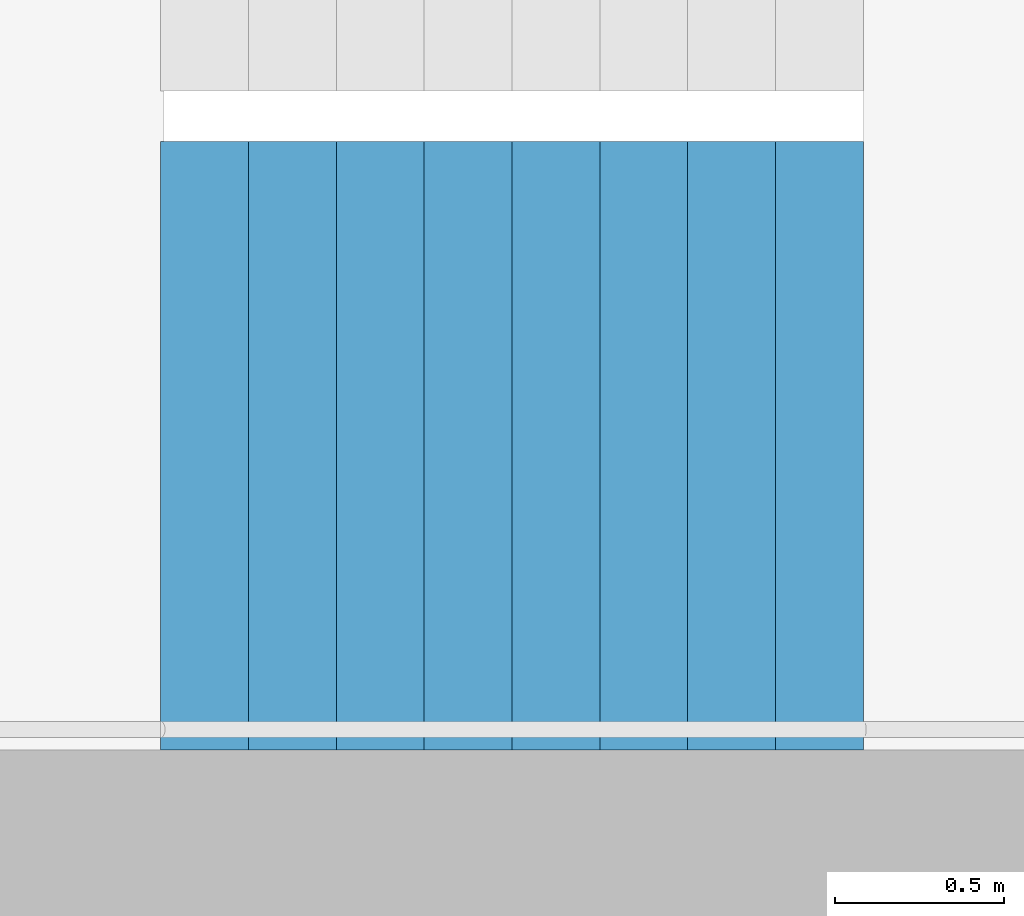
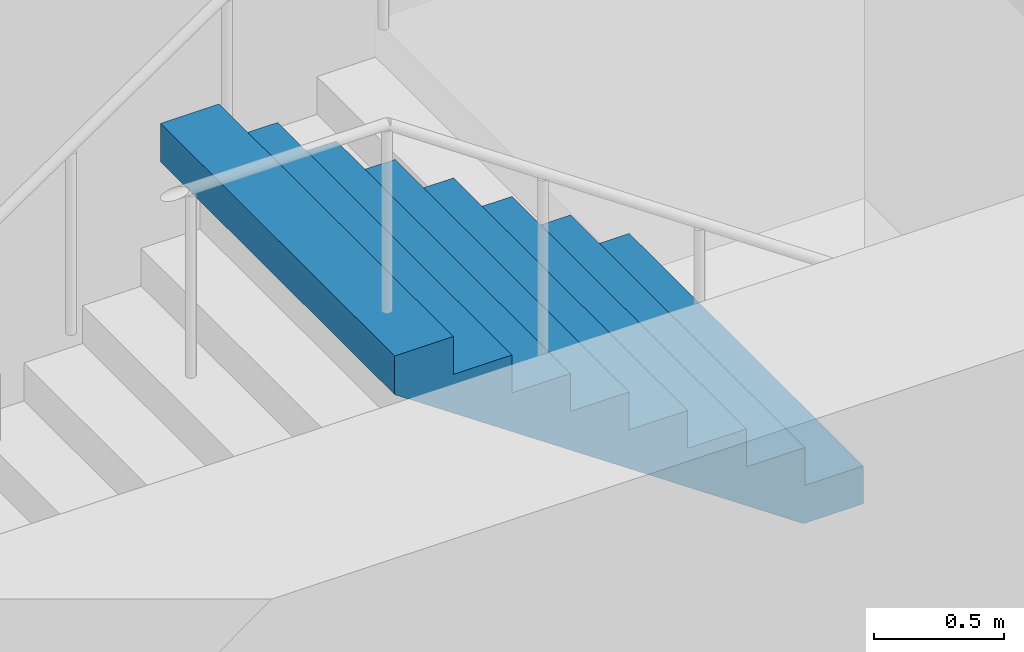
# One storey, part 25 of 29: 1 stair flight, 1 element without a shape of its own.
"""IFC4 building model written with IfcOpenShell, lengths in metres."""

from ifc_helpers import new_model, si_unit, direction, frame, origin, place, context, subcontext, project, spatial, triangles, material, type_object, element, aggregate, save


model = new_model("IFC4")

# Units and contexts
model_context = context("Model", 3, precision=1e-05, world=origin(), true_north=direction((0.0, 1.0)))
body_context = subcontext(model_context, "Body", "Model", "MODEL_VIEW")
ifc_project = project(units=[si_unit("LENGTHUNIT", "METRE"), si_unit("AREAUNIT", "SQUARE_METRE"), si_unit("VOLUMEUNIT", "CUBIC_METRE"), si_unit("PLANEANGLEUNIT", "RADIAN"), si_unit("MASSUNIT", "GRAM", prefix="KILO")], contexts=[model_context])

# Site, building, storey
site_placement = place(None, origin())
site = spatial("IfcSite", under=ifc_project, at=site_placement, CompositionType="ELEMENT")
building_placement = place(site_placement, origin())
building = spatial("IfcBuilding", under=site, at=building_placement, Name="Hakoniwa Tower and Hamabe Station Hall", CompositionType="ELEMENT")
storey_placement = place(building_placement, frame((0.0, 0.0, 101.0)))
storey = spatial("IfcBuildingStorey", under=building, at=storey_placement, Name="L28", CompositionType="ELEMENT", Elevation=101.0)

# Stair, stair flight
ifc_material_1 = material(Name="Concrete C40", Category="concrete")
stair_type = type_object("IfcStairType", Name="ESCAPE STAIR 1800", PredefinedType="HALF_TURN_STAIR", material=ifc_material_1)
stair_placement = place(storey_placement, origin())
stair = element("IfcStair", 1, at=stair_placement, inside=storey, type_object=stair_type, Name="Escape stair ST-4 L28", PredefinedType="HALF_TURN_STAIR")
ifc_material_2 = material(Name="Concrete C40", Category="concrete")
stair_flight_type = type_object("IfcStairFlightType", Name="STAIR FLIGHT 1800", PredefinedType="STRAIGHT", material=ifc_material_2)
stair_flight_placement = place(storey_placement, frame((25.47998046875, -6.60009765625, 1.60009765625), z_axis=(0.0, 0.0, 1.0), x_axis=(-1.0, 0.0, 0.0)))
stair_flight = element("IfcStairFlight", 2, at=stair_flight_placement, type_object=stair_flight_type, Name="ST-4 flight 2", NumberOfRisers=9, NumberOfTreads=8, PredefinedType="STRAIGHT", RiserHeight=0.177777778, TreadLength=0.26, context=body_context, shape_type="Tessellation", body=[
    triangles([(0.0, 0.89990234375, 0.0), (0.260009765625, 0.89990234375, 0.0), (0.265625, 0.89990234375, 0.0), (0.52001953125, 0.89990234375, 0.174072265625), (0.780029296875, 0.89990234375, 0.351806640625), (1.0400390625, 0.89990234375, 0.529541015625), (1.300048828125, 0.89990234375, 0.707275390625), (1.56005859375, 0.89990234375, 0.885009765625), (1.820068359375, 0.89990234375, 1.062744140625), (2.080078125, 0.89990234375, 1.24072265625), (2.080078125, 0.89990234375, 1.422119140625), (1.820068359375, 0.89990234375, 1.422119140625), (1.820068359375, 0.89990234375, 1.244384765625), (1.56005859375, 0.89990234375, 1.244384765625), (1.56005859375, 0.89990234375, 1.066650390625), (1.300048828125, 0.89990234375, 1.066650390625), (1.300048828125, 0.89990234375, 0.888916015625), (1.0400390625, 0.89990234375, 0.888916015625), (1.0400390625, 0.89990234375, 0.711181640625), (0.780029296875, 0.89990234375, 0.711181640625), (0.780029296875, 0.89990234375, 0.533447265625), (0.52001953125, 0.89990234375, 0.533447265625), (0.52001953125, 0.89990234375, 0.35546875), (0.265625, 0.89990234375, 0.35546875), (0.260009765625, 0.89990234375, 0.35546875), (0.260009765625, 0.89990234375, 0.177734375), (0.0, 0.89990234375, 0.177734375), (0.0, 0.06005859375, 0.0), (0.260009765625, 0.06005859375, 0.0), (0.265625, 0.06005859375, 0.0), (0.52001953125, 0.06005859375, 0.174072265625), (0.780029296875, 0.06005859375, 0.351806640625), (1.0400390625, 0.06005859375, 0.529541015625), (1.300048828125, 0.06005859375, 0.707275390625), (1.56005859375, 0.06005859375, 0.885009765625), (1.820068359375, 0.06005859375, 1.062744140625), (2.080078125, 0.06005859375, 1.24072265625), (2.080078125, 0.06005859375, 1.422119140625), (1.820068359375, 0.06005859375, 1.422119140625), (1.820068359375, 0.06005859375, 1.244384765625), (1.56005859375, 0.06005859375, 1.244384765625), (1.56005859375, 0.06005859375, 1.066650390625), (1.300048828125, 0.06005859375, 1.066650390625), (1.300048828125, 0.06005859375, 0.888916015625), (1.0400390625, 0.06005859375, 0.888916015625), (1.0400390625, 0.06005859375, 0.711181640625), (0.780029296875, 0.06005859375, 0.711181640625), (0.780029296875, 0.06005859375, 0.533447265625), (0.52001953125, 0.06005859375, 0.533447265625), (0.52001953125, 0.06005859375, 0.35546875), (0.265625, 0.06005859375, 0.35546875), (0.260009765625, 0.06005859375, 0.35546875), (0.260009765625, 0.06005859375, 0.177734375), (0.0, 0.06005859375, 0.177734375), (0.0, 0.04296875, 0.0), (0.260009765625, 0.04296875, 0.0), (0.265625, 0.04296875, 0.0), (0.52001953125, 0.04296875, 0.174072265625), (0.780029296875, 0.04296875, 0.351806640625), (1.0400390625, 0.04296875, 0.529541015625), (1.300048828125, 0.04296875, 0.707275390625), (1.56005859375, 0.04296875, 0.885009765625), (1.820068359375, 0.04296875, 1.062744140625), (2.080078125, 0.04296875, 1.24072265625), (2.080078125, 0.04296875, 1.422119140625), (1.820068359375, 0.04296875, 1.422119140625), (1.820068359375, 0.04296875, 1.244384765625), (1.56005859375, 0.04296875, 1.244384765625), (1.56005859375, 0.04296875, 1.066650390625), (1.300048828125, 0.04296875, 1.066650390625), (1.300048828125, 0.04296875, 0.888916015625), (1.0400390625, 0.04296875, 0.888916015625), (1.0400390625, 0.04296875, 0.711181640625), (0.780029296875, 0.04296875, 0.711181640625), (0.780029296875, 0.04296875, 0.533447265625), (0.52001953125, 0.04296875, 0.533447265625), (0.52001953125, 0.04296875, 0.35546875), (0.265625, 0.04296875, 0.35546875), (0.260009765625, 0.04296875, 0.35546875), (0.260009765625, 0.04296875, 0.177734375), (0.0, 0.04296875, 0.177734375), (0.0, 0.025634765625, 0.0), (0.260009765625, 0.025634765625, 0.0), (0.265625, 0.025634765625, 0.0), (0.52001953125, 0.025634765625, 0.174072265625), (0.780029296875, 0.025634765625, 0.351806640625), (1.0400390625, 0.025634765625, 0.529541015625), (1.300048828125, 0.025634765625, 0.707275390625), (1.56005859375, 0.025634765625, 0.885009765625), (1.820068359375, 0.025634765625, 1.062744140625), (2.080078125, 0.025634765625, 1.24072265625), (2.080078125, 0.025634765625, 1.422119140625), (1.820068359375, 0.025634765625, 1.422119140625), (1.820068359375, 0.025634765625, 1.244384765625), (1.56005859375, 0.025634765625, 1.244384765625), (1.56005859375, 0.025634765625, 1.066650390625), (1.300048828125, 0.025634765625, 1.066650390625), (1.300048828125, 0.025634765625, 0.888916015625), (1.0400390625, 0.025634765625, 0.888916015625), (1.0400390625, 0.025634765625, 0.711181640625), (0.780029296875, 0.025634765625, 0.711181640625), (0.780029296875, 0.025634765625, 0.533447265625), (0.52001953125, 0.025634765625, 0.533447265625), (0.52001953125, 0.025634765625, 0.35546875), (0.265625, 0.025634765625, 0.35546875), (0.260009765625, 0.025634765625, 0.35546875), (0.260009765625, 0.025634765625, 0.177734375), (0.0, 0.025634765625, 0.177734375), (0.0, 0.008544921875, 0.0), (0.260009765625, 0.008544921875, 0.0), (0.265625, 0.008544921875, 0.0), (0.52001953125, 0.008544921875, 0.174072265625), (0.780029296875, 0.008544921875, 0.351806640625), (1.0400390625, 0.008544921875, 0.529541015625), (1.300048828125, 0.008544921875, 0.707275390625), (1.56005859375, 0.008544921875, 0.885009765625), (1.820068359375, 0.008544921875, 1.062744140625), (2.080078125, 0.008544921875, 1.24072265625), (2.080078125, 0.008544921875, 1.422119140625), (1.820068359375, 0.008544921875, 1.422119140625), (1.820068359375, 0.008544921875, 1.244384765625), (1.56005859375, 0.008544921875, 1.244384765625), (1.56005859375, 0.008544921875, 1.066650390625), (1.300048828125, 0.008544921875, 1.066650390625), (1.300048828125, 0.008544921875, 0.888916015625), (1.0400390625, 0.008544921875, 0.888916015625), (1.0400390625, 0.008544921875, 0.711181640625), (0.780029296875, 0.008544921875, 0.711181640625), (0.780029296875, 0.008544921875, 0.533447265625), (0.52001953125, 0.008544921875, 0.533447265625), (0.52001953125, 0.008544921875, 0.35546875), (0.265625, 0.008544921875, 0.35546875), (0.260009765625, 0.008544921875, 0.35546875), (0.260009765625, 0.008544921875, 0.177734375), (0.0, 0.008544921875, 0.177734375), (0.0, -0.008544921875, 0.0), (0.260009765625, -0.008544921875, 0.0), (0.265625, -0.008544921875, 0.0), (0.52001953125, -0.008544921875, 0.174072265625), (0.780029296875, -0.008544921875, 0.351806640625), (1.0400390625, -0.008544921875, 0.529541015625), (1.300048828125, -0.008544921875, 0.707275390625), (1.56005859375, -0.008544921875, 0.885009765625), (1.820068359375, -0.008544921875, 1.062744140625), (2.080078125, -0.008544921875, 1.24072265625), (2.080078125, -0.008544921875, 1.422119140625), (1.820068359375, -0.008544921875, 1.422119140625), (1.820068359375, -0.008544921875, 1.244384765625), (1.56005859375, -0.008544921875, 1.244384765625), (1.56005859375, -0.008544921875, 1.066650390625), (1.300048828125, -0.008544921875, 1.066650390625), (1.300048828125, -0.008544921875, 0.888916015625), (1.0400390625, -0.008544921875, 0.888916015625), (1.0400390625, -0.008544921875, 0.711181640625), (0.780029296875, -0.008544921875, 0.711181640625), (0.780029296875, -0.008544921875, 0.533447265625), (0.52001953125, -0.008544921875, 0.533447265625), (0.52001953125, -0.008544921875, 0.35546875), (0.265625, -0.008544921875, 0.35546875), (0.260009765625, -0.008544921875, 0.35546875), (0.260009765625, -0.008544921875, 0.177734375), (0.0, -0.008544921875, 0.177734375), (0.0, -0.025634765625, 0.0), (0.260009765625, -0.025634765625, 0.0), (0.265625, -0.025634765625, 0.0), (0.52001953125, -0.025634765625, 0.174072265625), (0.780029296875, -0.025634765625, 0.351806640625), (1.0400390625, -0.025634765625, 0.529541015625), (1.300048828125, -0.025634765625, 0.707275390625), (1.56005859375, -0.025634765625, 0.885009765625), (1.820068359375, -0.025634765625, 1.062744140625), (2.080078125, -0.025634765625, 1.24072265625), (2.080078125, -0.025634765625, 1.422119140625), (1.820068359375, -0.025634765625, 1.422119140625), (1.820068359375, -0.025634765625, 1.244384765625), (1.56005859375, -0.025634765625, 1.244384765625), (1.56005859375, -0.025634765625, 1.066650390625), (1.300048828125, -0.025634765625, 1.066650390625), (1.300048828125, -0.025634765625, 0.888916015625), (1.0400390625, -0.025634765625, 0.888916015625), (1.0400390625, -0.025634765625, 0.711181640625), (0.780029296875, -0.025634765625, 0.711181640625), (0.780029296875, -0.025634765625, 0.533447265625), (0.52001953125, -0.025634765625, 0.533447265625), (0.52001953125, -0.025634765625, 0.35546875), (0.265625, -0.025634765625, 0.35546875), (0.260009765625, -0.025634765625, 0.35546875), (0.260009765625, -0.025634765625, 0.177734375), (0.0, -0.025634765625, 0.177734375), (0.0, -0.04296875, 0.0), (0.260009765625, -0.04296875, 0.0), (0.265625, -0.04296875, 0.0), (0.52001953125, -0.04296875, 0.174072265625), (0.780029296875, -0.04296875, 0.351806640625), (1.0400390625, -0.04296875, 0.529541015625), (1.300048828125, -0.04296875, 0.707275390625), (1.56005859375, -0.04296875, 0.885009765625), (1.820068359375, -0.04296875, 1.062744140625), (2.080078125, -0.04296875, 1.24072265625), (2.080078125, -0.04296875, 1.422119140625), (1.820068359375, -0.04296875, 1.422119140625), (1.820068359375, -0.04296875, 1.244384765625), (1.56005859375, -0.04296875, 1.244384765625), (1.56005859375, -0.04296875, 1.066650390625), (1.300048828125, -0.04296875, 1.066650390625), (1.300048828125, -0.04296875, 0.888916015625), (1.0400390625, -0.04296875, 0.888916015625), (1.0400390625, -0.04296875, 0.711181640625), (0.780029296875, -0.04296875, 0.711181640625), (0.780029296875, -0.04296875, 0.533447265625), (0.52001953125, -0.04296875, 0.533447265625), (0.52001953125, -0.04296875, 0.35546875), (0.265625, -0.04296875, 0.35546875), (0.260009765625, -0.04296875, 0.35546875), (0.260009765625, -0.04296875, 0.177734375), (0.0, -0.04296875, 0.177734375), (0.0, -0.06005859375, 0.0), (0.260009765625, -0.06005859375, 0.0), (0.265625, -0.06005859375, 0.0), (0.52001953125, -0.06005859375, 0.174072265625), (0.780029296875, -0.06005859375, 0.351806640625), (1.0400390625, -0.06005859375, 0.529541015625), (1.300048828125, -0.06005859375, 0.707275390625), (1.56005859375, -0.06005859375, 0.885009765625), (1.820068359375, -0.06005859375, 1.062744140625), (2.080078125, -0.06005859375, 1.24072265625), (2.080078125, -0.06005859375, 1.422119140625), (1.820068359375, -0.06005859375, 1.422119140625), (1.820068359375, -0.06005859375, 1.244384765625), (1.56005859375, -0.06005859375, 1.244384765625), (1.56005859375, -0.06005859375, 1.066650390625), (1.300048828125, -0.06005859375, 1.066650390625), (1.300048828125, -0.06005859375, 0.888916015625), (1.0400390625, -0.06005859375, 0.888916015625), (1.0400390625, -0.06005859375, 0.711181640625), (0.780029296875, -0.06005859375, 0.711181640625), (0.780029296875, -0.06005859375, 0.533447265625), (0.52001953125, -0.06005859375, 0.533447265625), (0.52001953125, -0.06005859375, 0.35546875), (0.265625, -0.06005859375, 0.35546875), (0.260009765625, -0.06005859375, 0.35546875), (0.260009765625, -0.06005859375, 0.177734375), (0.0, -0.06005859375, 0.177734375), (0.0, -0.89990234375, 0.0), (0.260009765625, -0.89990234375, 0.0), (0.265625, -0.89990234375, 0.0), (0.52001953125, -0.89990234375, 0.174072265625), (0.780029296875, -0.89990234375, 0.351806640625), (1.0400390625, -0.89990234375, 0.529541015625), (1.300048828125, -0.89990234375, 0.707275390625), (1.56005859375, -0.89990234375, 0.885009765625), (1.820068359375, -0.89990234375, 1.062744140625), (2.080078125, -0.89990234375, 1.24072265625), (2.080078125, -0.89990234375, 1.422119140625), (1.820068359375, -0.89990234375, 1.422119140625), (1.820068359375, -0.89990234375, 1.244384765625), (1.56005859375, -0.89990234375, 1.244384765625), (1.56005859375, -0.89990234375, 1.066650390625), (1.300048828125, -0.89990234375, 1.066650390625), (1.300048828125, -0.89990234375, 0.888916015625), (1.0400390625, -0.89990234375, 0.888916015625), (1.0400390625, -0.89990234375, 0.711181640625), (0.780029296875, -0.89990234375, 0.711181640625), (0.780029296875, -0.89990234375, 0.533447265625), (0.52001953125, -0.89990234375, 0.533447265625), (0.52001953125, -0.89990234375, 0.35546875), (0.265625, -0.89990234375, 0.35546875), (0.260009765625, -0.89990234375, 0.35546875), (0.260009765625, -0.89990234375, 0.177734375), (0.0, -0.89990234375, 0.177734375)], [[2, 27, 26], [245, 269, 270], [2, 1, 27], [245, 270, 244], [3, 25, 24], [246, 267, 268], [3, 26, 25], [246, 268, 269], [3, 2, 26], [246, 269, 245], [4, 24, 23], [247, 266, 267], [4, 3, 24], [247, 267, 246], [5, 22, 21], [248, 264, 265], [5, 23, 22], [248, 265, 266], [5, 4, 23], [248, 266, 247], [6, 20, 19], [249, 262, 263], [6, 21, 20], [249, 263, 264], [6, 5, 21], [249, 264, 248], [7, 18, 17], [250, 260, 261], [7, 19, 18], [250, 261, 262], [7, 6, 19], [250, 262, 249], [8, 16, 15], [251, 258, 259], [8, 17, 16], [251, 259, 260], [8, 7, 17], [251, 260, 250], [9, 14, 13], [252, 256, 257], [9, 15, 14], [252, 257, 258], [9, 8, 15], [252, 258, 251], [10, 12, 11], [253, 254, 255], [10, 13, 12], [253, 255, 256], [10, 9, 13], [253, 256, 252], [1, 2, 29], [1, 29, 28], [28, 29, 56], [28, 56, 55], [55, 56, 83], [55, 83, 82], [82, 83, 110], [82, 110, 109], [109, 110, 137], [109, 137, 136], [136, 137, 164], [136, 164, 163], [163, 164, 191], [163, 191, 190], [190, 191, 218], [190, 218, 217], [217, 218, 245], [217, 245, 244], [2, 3, 30], [2, 30, 29], [29, 30, 57], [29, 57, 56], [56, 57, 84], [56, 84, 83], [83, 84, 111], [83, 111, 110], [110, 111, 138], [110, 138, 137], [137, 138, 165], [137, 165, 164], [164, 165, 192], [164, 192, 191], [191, 192, 219], [191, 219, 218], [218, 219, 246], [218, 246, 245], [3, 4, 31], [3, 31, 30], [30, 31, 58], [30, 58, 57], [57, 58, 85], [57, 85, 84], [84, 85, 112], [84, 112, 111], [111, 112, 139], [111, 139, 138], [138, 139, 166], [138, 166, 165], [165, 166, 193], [165, 193, 192], [192, 193, 220], [192, 220, 219], [219, 220, 247], [219, 247, 246], [4, 5, 32], [4, 32, 31], [31, 32, 59], [31, 59, 58], [58, 59, 86], [58, 86, 85], [85, 86, 113], [85, 113, 112], [112, 113, 140], [112, 140, 139], [139, 140, 167], [139, 167, 166], [166, 167, 194], [166, 194, 193], [193, 194, 221], [193, 221, 220], [220, 221, 248], [220, 248, 247], [5, 6, 33], [5, 33, 32], [32, 33, 60], [32, 60, 59], [59, 60, 87], [59, 87, 86], [86, 87, 114], [86, 114, 113], [113, 114, 141], [113, 141, 140], [140, 141, 168], [140, 168, 167], [167, 168, 195], [167, 195, 194], [194, 195, 222], [194, 222, 221], [221, 222, 249], [221, 249, 248], [6, 7, 34], [6, 34, 33], [33, 34, 61], [33, 61, 60], [60, 61, 88], [60, 88, 87], [87, 88, 115], [87, 115, 114], [114, 115, 142], [114, 142, 141], [141, 142, 169], [141, 169, 168], [168, 169, 196], [168, 196, 195], [195, 196, 223], [195, 223, 222], [222, 223, 250], [222, 250, 249], [7, 8, 35], [7, 35, 34], [34, 35, 62], [34, 62, 61], [61, 62, 89], [61, 89, 88], [88, 89, 116], [88, 116, 115], [115, 116, 143], [115, 143, 142], [142, 143, 170], [142, 170, 169], [169, 170, 197], [169, 197, 196], [196, 197, 224], [196, 224, 223], [223, 224, 251], [223, 251, 250], [8, 9, 36], [8, 36, 35], [35, 36, 63], [35, 63, 62], [62, 63, 90], [62, 90, 89], [89, 90, 117], [89, 117, 116], [116, 117, 144], [116, 144, 143], [143, 144, 171], [143, 171, 170], [170, 171, 198], [170, 198, 197], [197, 198, 225], [197, 225, 224], [224, 225, 252], [224, 252, 251], [9, 10, 37], [9, 37, 36], [36, 37, 64], [36, 64, 63], [63, 64, 91], [63, 91, 90], [90, 91, 118], [90, 118, 117], [117, 118, 145], [117, 145, 144], [144, 145, 172], [144, 172, 171], [171, 172, 199], [171, 199, 198], [198, 199, 226], [198, 226, 225], [225, 226, 253], [225, 253, 252], [10, 11, 38], [10, 38, 37], [37, 38, 65], [37, 65, 64], [64, 65, 92], [64, 92, 91], [91, 92, 119], [91, 119, 118], [118, 119, 146], [118, 146, 145], [145, 146, 173], [145, 173, 172], [172, 173, 200], [172, 200, 199], [199, 200, 227], [199, 227, 226], [226, 227, 254], [226, 254, 253], [11, 12, 39], [11, 39, 38], [38, 39, 66], [38, 66, 65], [65, 66, 93], [65, 93, 92], [92, 93, 120], [92, 120, 119], [119, 120, 147], [119, 147, 146], [146, 147, 174], [146, 174, 173], [173, 174, 201], [173, 201, 200], [200, 201, 228], [200, 228, 227], [227, 228, 255], [227, 255, 254], [12, 13, 40], [12, 40, 39], [39, 40, 67], [39, 67, 66], [66, 67, 94], [66, 94, 93], [93, 94, 121], [93, 121, 120], [120, 121, 148], [120, 148, 147], [147, 148, 175], [147, 175, 174], [174, 175, 202], [174, 202, 201], [201, 202, 229], [201, 229, 228], [228, 229, 256], [228, 256, 255], [13, 14, 41], [13, 41, 40], [40, 41, 68], [40, 68, 67], [67, 68, 95], [67, 95, 94], [94, 95, 122], [94, 122, 121], [121, 122, 149], [121, 149, 148], [148, 149, 176], [148, 176, 175], [175, 176, 203], [175, 203, 202], [202, 203, 230], [202, 230, 229], [229, 230, 257], [229, 257, 256], [14, 15, 42], [14, 42, 41], [41, 42, 69], [41, 69, 68], [68, 69, 96], [68, 96, 95], [95, 96, 123], [95, 123, 122], [122, 123, 150], [122, 150, 149], [149, 150, 177], [149, 177, 176], [176, 177, 204], [176, 204, 203], [203, 204, 231], [203, 231, 230], [230, 231, 258], [230, 258, 257], [15, 16, 43], [15, 43, 42], [42, 43, 70], [42, 70, 69], [69, 70, 97], [69, 97, 96], [96, 97, 124], [96, 124, 123], [123, 124, 151], [123, 151, 150], [150, 151, 178], [150, 178, 177], [177, 178, 205], [177, 205, 204], [204, 205, 232], [204, 232, 231], [231, 232, 259], [231, 259, 258], [16, 17, 44], [16, 44, 43], [43, 44, 71], [43, 71, 70], [70, 71, 98], [70, 98, 97], [97, 98, 125], [97, 125, 124], [124, 125, 152], [124, 152, 151], [151, 152, 179], [151, 179, 178], [178, 179, 206], [178, 206, 205], [205, 206, 233], [205, 233, 232], [232, 233, 260], [232, 260, 259], [17, 18, 45], [17, 45, 44], [44, 45, 72], [44, 72, 71], [71, 72, 99], [71, 99, 98], [98, 99, 126], [98, 126, 125], [125, 126, 153], [125, 153, 152], [152, 153, 180], [152, 180, 179], [179, 180, 207], [179, 207, 206], [206, 207, 234], [206, 234, 233], [233, 234, 261], [233, 261, 260], [18, 19, 46], [18, 46, 45], [45, 46, 73], [45, 73, 72], [72, 73, 100], [72, 100, 99], [99, 100, 127], [99, 127, 126], [126, 127, 154], [126, 154, 153], [153, 154, 181], [153, 181, 180], [180, 181, 208], [180, 208, 207], [207, 208, 235], [207, 235, 234], [234, 235, 262], [234, 262, 261], [19, 20, 47], [19, 47, 46], [46, 47, 74], [46, 74, 73], [73, 74, 101], [73, 101, 100], [100, 101, 128], [100, 128, 127], [127, 128, 155], [127, 155, 154], [154, 155, 182], [154, 182, 181], [181, 182, 209], [181, 209, 208], [208, 209, 236], [208, 236, 235], [235, 236, 263], [235, 263, 262], [20, 21, 48], [20, 48, 47], [47, 48, 75], [47, 75, 74], [74, 75, 102], [74, 102, 101], [101, 102, 129], [101, 129, 128], [128, 129, 156], [128, 156, 155], [155, 156, 183], [155, 183, 182], [182, 183, 210], [182, 210, 209], [209, 210, 237], [209, 237, 236], [236, 237, 264], [236, 264, 263], [21, 22, 49], [21, 49, 48], [48, 49, 76], [48, 76, 75], [75, 76, 103], [75, 103, 102], [102, 103, 130], [102, 130, 129], [129, 130, 157], [129, 157, 156], [156, 157, 184], [156, 184, 183], [183, 184, 211], [183, 211, 210], [210, 211, 238], [210, 238, 237], [237, 238, 265], [237, 265, 264], [22, 23, 50], [22, 50, 49], [49, 50, 77], [49, 77, 76], [76, 77, 104], [76, 104, 103], [103, 104, 131], [103, 131, 130], [130, 131, 158], [130, 158, 157], [157, 158, 185], [157, 185, 184], [184, 185, 212], [184, 212, 211], [211, 212, 239], [211, 239, 238], [238, 239, 266], [238, 266, 265], [23, 24, 51], [23, 51, 50], [50, 51, 78], [50, 78, 77], [77, 78, 105], [77, 105, 104], [104, 105, 132], [104, 132, 131], [131, 132, 159], [131, 159, 158], [158, 159, 186], [158, 186, 185], [185, 186, 213], [185, 213, 212], [212, 213, 240], [212, 240, 239], [239, 240, 267], [239, 267, 266], [24, 25, 52], [24, 52, 51], [51, 52, 79], [51, 79, 78], [78, 79, 106], [78, 106, 105], [105, 106, 133], [105, 133, 132], [132, 133, 160], [132, 160, 159], [159, 160, 187], [159, 187, 186], [186, 187, 214], [186, 214, 213], [213, 214, 241], [213, 241, 240], [240, 241, 268], [240, 268, 267], [25, 26, 53], [25, 53, 52], [52, 53, 80], [52, 80, 79], [79, 80, 107], [79, 107, 106], [106, 107, 134], [106, 134, 133], [133, 134, 161], [133, 161, 160], [160, 161, 188], [160, 188, 187], [187, 188, 215], [187, 215, 214], [214, 215, 242], [214, 242, 241], [241, 242, 269], [241, 269, 268], [26, 27, 54], [26, 54, 53], [53, 54, 81], [53, 81, 80], [80, 81, 108], [80, 108, 107], [107, 108, 135], [107, 135, 134], [134, 135, 162], [134, 162, 161], [161, 162, 189], [161, 189, 188], [188, 189, 216], [188, 216, 215], [215, 216, 243], [215, 243, 242], [242, 243, 270], [242, 270, 269], [27, 1, 28], [27, 28, 54], [54, 28, 55], [54, 55, 81], [81, 55, 82], [81, 82, 108], [108, 82, 109], [108, 109, 135], [135, 109, 136], [135, 136, 162], [162, 136, 163], [162, 163, 189], [189, 163, 190], [189, 190, 216], [216, 190, 217], [216, 217, 243], [243, 217, 244], [243, 244, 270]], closed=True),
])
aggregate(stair, [stair_flight])

save(model, "model.ifc")
